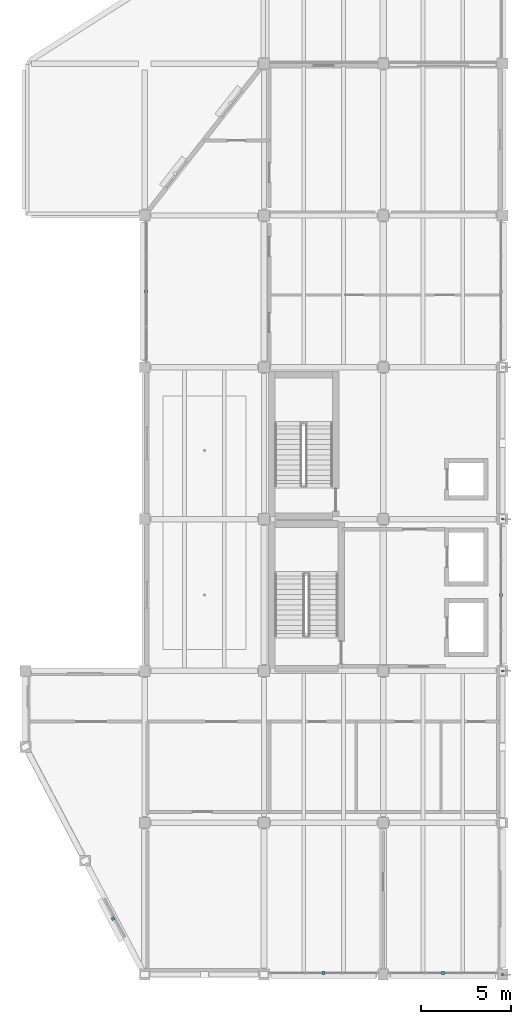
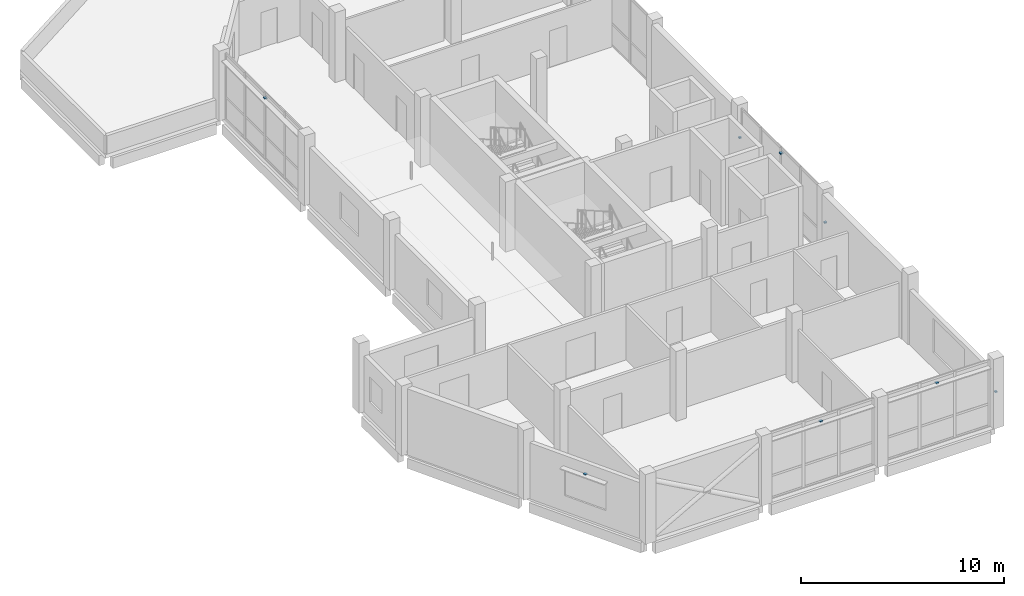
# One storey, part 9 of 12: 8 discrete accessories.
"""IFC4 building model written with IfcOpenShell, lengths in metres."""

from ifc_helpers import new_model, si_unit, direction, frame, origin, origin_2d, place, context, subcontext, project, spatial, rectangle, extrude, material, layer, layer_set, type_object, element, save


model = new_model("IFC4")

# Units and contexts
model_context = context("Model", 3, precision=1e-05, world=origin(), true_north=direction((0.0, 1.0)))
body_context = subcontext(model_context, "Body", "Model", "MODEL_VIEW")
ifc_project = project(units=[si_unit("LENGTHUNIT", "METRE"), si_unit("AREAUNIT", "SQUARE_METRE"), si_unit("VOLUMEUNIT", "CUBIC_METRE"), si_unit("PLANEANGLEUNIT", "RADIAN"), si_unit("MASSUNIT", "GRAM", prefix="KILO")], contexts=[model_context])

# Site, building, storey
site_placement = place(None, origin())
site = spatial("IfcSite", under=ifc_project, at=site_placement, CompositionType="ELEMENT")
building_placement = place(site_placement, origin())
building = spatial("IfcBuilding", under=site, at=building_placement, Name="Qaldarim Faculty of Natural and Applied Sciences", CompositionType="ELEMENT")
storey_placement = place(building_placement, frame((0.0, 0.0, 31.199951171875)))
storey = spatial("IfcBuildingStorey", under=building, at=storey_placement, Name="L07", CompositionType="ELEMENT", Elevation=31.199951171875)

# Discrete accessories
ifc_material = material(Name="Architectural stainless steel 316", Category="steel")
ifc_layer = layer(ifc_material, 0.080078125)
ifc_layer_set = layer_set([ifc_layer], Name="Architectural stainless steel 316")
discrete_accessory_type = type_object("IfcDiscreteAccessoryType", Name="FacadeBracket-SS120", PredefinedType="BRACKET", material=ifc_layer_set)
for number, where, z_axis, x_axis, name in (
    (1, (158.47998046875, 37.800048828125, 3.590087890625), (0.0, 0.0, 1.0), (0.0, 1.0, 0.0), "Solar louvre support bracket SHD-L07-W-X25Y05"),
    (2, (168.300048828125, 0.080078125, 3.590087890625), (0.0, 0.0, 1.0), (1.0, 0.0, 0.0), "Solar louvre support bracket SHD-L07-S-X26Y01"),
    (3, (174.89990234375, 0.080078125, 3.590087890625), (0.0, 0.0, 1.0), (1.0, 0.0, 0.0), "Solar louvre support bracket SHD-L07-S-X27Y01"),
    (4, (178.1201171875, 21.0, 3.590087890625), (0.0, 0.0, 1.0), (0.0, 1.0, 0.0), "Solar louvre support bracket SHD-L07-E-X27Y03"),
    (5, (156.64501953125, 3.094970703125, 2.659912109375), (0.0, 0.0, 1.0), (0.46447113214, -0.885588260654, 0.0), "Oblique solar louvre bracket SHD-OBL-SW-L07-2"),
):
    element("IfcDiscreteAccessory", number, at=place(storey_placement, frame(where, z_axis=z_axis, x_axis=x_axis)), inside=storey, type_object=discrete_accessory_type, Name=name, PredefinedType="BRACKET", context=body_context, shape_type="SweptSolid", body=[
        extrude(rectangle(XDim=0.159912109375, YDim=0.159912109375, at=origin_2d()), origin(), (0.0, 0.0, 1.0), 0.080078125),
    ])
for number, where, z_axis, x_axis, name in (
    (6, (178.199951171875, 0.0, 1.949951171875), (0.0, 0.0, 1.0), (1.0, 0.0, 0.0), "Tower fin bracket FIN-V5E-L07-Y01"),
    (7, (178.199951171875, 16.800048828125, 1.949951171875), (0.0, 0.0, 1.0), (1.0, 0.0, 0.0), "Tower fin bracket FIN-V5E-L07-Y03"),
    (8, (178.199951171875, 25.199951171875, 1.949951171875), (0.0, 0.0, 1.0), (1.0, 0.0, 0.0), "Tower fin bracket FIN-V5E-L07-Y04"),
):
    element("IfcDiscreteAccessory", number, at=place(storey_placement, frame(where, z_axis=z_axis, x_axis=x_axis)), inside=storey, type_object=discrete_accessory_type, Name=name, PredefinedType="BRACKET", context=body_context, shape_type="SweptSolid", body=[
        extrude(rectangle(XDim=0.1201171875, YDim=0.1201171875, at=origin_2d()), origin(), (0.0, 0.0, 1.0), 0.080078125),
    ])

save(model, "model.ifc")
